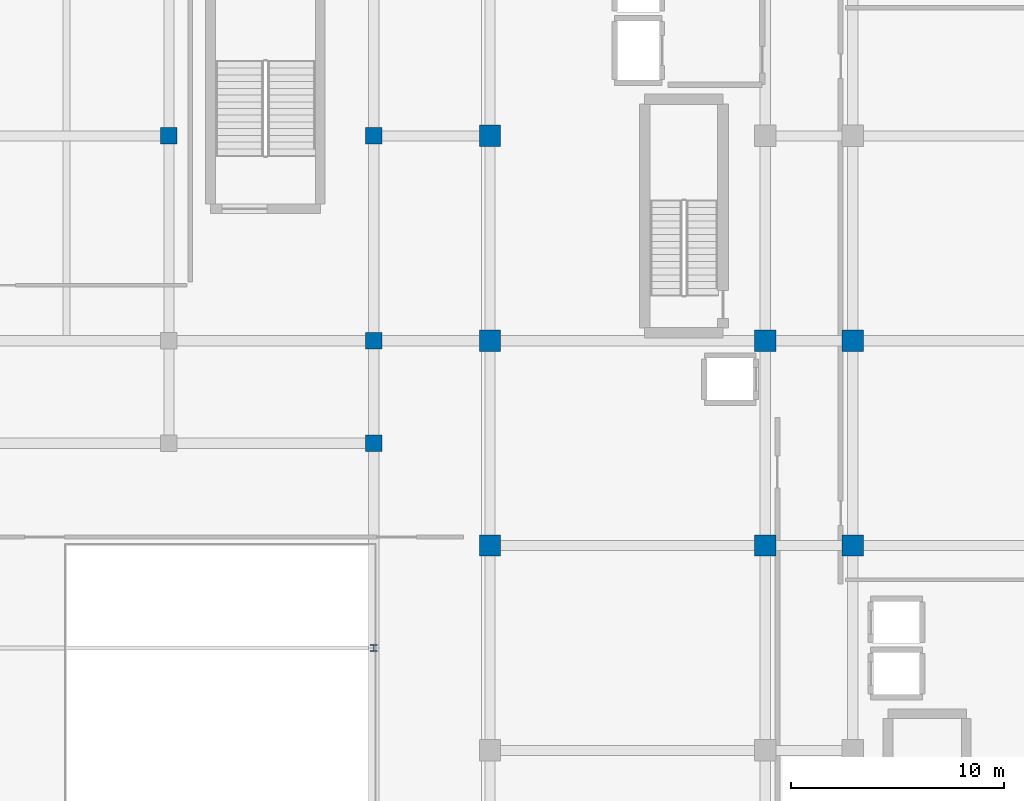
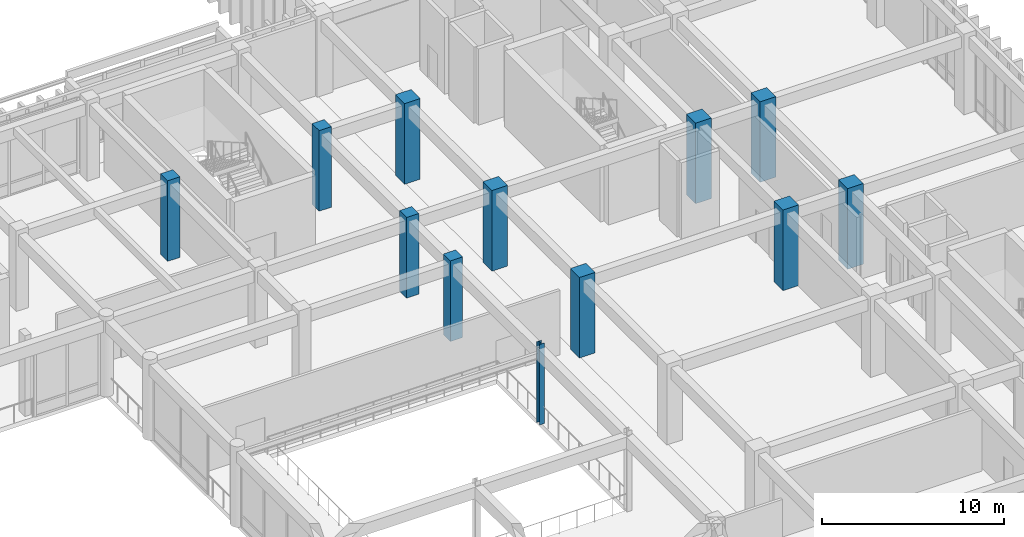
# One storey, part 10 of 134: 12 columns.
"""IFC4 building model written with IfcOpenShell, lengths in metres."""

import ifcopenshell
import ifcopenshell.guid

model = None  # the IFC model being written
_history = None  # IfcOwnerHistory: only IFC2X3 demands one
_inside = {}  # id of a spatial element -> (the spatial element, [elements in it])
_under = {}  # id of a project, library or spatial element -> (it, [spatial elements below it])
_declared = {}  # id of a project -> (the project, [libraries it declares])
_typed = {}  # id of a type object -> (the type object, [elements of that type])
_made_of = {}  # id of a material, layer set ... -> (it, [elements and type objects made of it])


def new_model(schema):
    """Start an empty IFC model of exactly this schema.

    Asked for "IFC4X3", IfcOpenShell would pick the latest addendum, in which some entities
    have other attributes; the version numbers below select the first issue.
    IFC2X3 requires an IfcOwnerHistory on every rooted entity: one is made here for all.
    """
    global model, _history
    if schema == "IFC4X3":
        model = ifcopenshell.file(schema_version=(4, 3, 0, 0))
    else:
        model = ifcopenshell.file(schema=schema)
    _inside.clear()
    _under.clear()
    _declared.clear()
    _typed.clear()
    _made_of.clear()
    _history = None
    if model.schema == "IFC2X3":
        org = make("IfcOrganization", Name="unknown")
        user = make(
            "IfcPersonAndOrganization",
            ThePerson=make("IfcPerson", FamilyName="unknown"),
            TheOrganization=org,
        )
        app = make(
            "IfcApplication",
            ApplicationDeveloper=org,
            Version="unknown",
            ApplicationFullName="unknown",
            ApplicationIdentifier="unknown",
        )
        _history = make(
            "IfcOwnerHistory",
            OwningUser=user,
            OwningApplication=app,
            ChangeAction="ADDED",
            CreationDate=0,
        )
    return model


def make(cls, **values):
    """One entity of the class cls with the attributes given. An attribute that is None is left unset."""
    return model.create_entity(
        cls, **{name: value for name, value in values.items() if value is not None}
    )


def rooted(cls, **values):
    """An entity with a GlobalId (a new one), such as an element, a storey or a relation."""
    return make(cls, GlobalId=ifcopenshell.guid.new(), OwnerHistory=_history, **values)


def si_unit(unit_type, name, prefix=None):
    """IfcSIUnit, for example si_unit("LENGTHUNIT", "METRE", prefix="MILLI")."""
    return make("IfcSIUnit", UnitType=unit_type, Prefix=prefix, Name=name)


def assignment(units):
    """IfcUnitAssignment: the units of a project."""
    return None if units is None else make("IfcUnitAssignment", Units=units)


def point(xyz):
    """IfcCartesianPoint."""
    return None if xyz is None else make("IfcCartesianPoint", Coordinates=xyz)


def direction(xyz):
    """IfcDirection."""
    return None if xyz is None else make("IfcDirection", DirectionRatios=xyz)


def frame(location, z_axis=None, x_axis=None):
    """IfcAxis2Placement3D, a coordinate frame: its origin and axes. An axis left out is left unset."""
    return make(
        "IfcAxis2Placement3D",
        Location=point(location),
        Axis=direction(z_axis),
        RefDirection=direction(x_axis),
    )


def frame_2d(location, x_axis=None):
    """IfcAxis2Placement2D, a coordinate frame in the plane: its origin and x axis."""
    return make(
        "IfcAxis2Placement2D", Location=point(location), RefDirection=direction(x_axis)
    )


def origin():
    """The frame at (0, 0, 0) with its axes left unset."""
    return frame((0.0, 0.0, 0.0))


def origin_2d():
    """The frame at (0, 0) in the plane with its x axis left unset."""
    return frame_2d((0.0, 0.0))


def place(relative_to, where):
    """IfcLocalPlacement: puts the frame where relative to a parent placement (None: the world)."""
    return make(
        "IfcLocalPlacement", PlacementRelTo=relative_to, RelativePlacement=where
    )


def context(
    kind, dimensions, precision=None, world=None, true_north=None, identifier=None
):
    """IfcGeometricRepresentationContext, for example the 3D "Model" context."""
    return make(
        "IfcGeometricRepresentationContext",
        ContextIdentifier=identifier,
        ContextType=kind,
        CoordinateSpaceDimension=dimensions,
        Precision=precision,
        WorldCoordinateSystem=world,
        TrueNorth=true_north,
    )


def subcontext(parent, identifier, kind, view, scale=None):
    """IfcGeometricRepresentationSubContext, for example "Body" below "Model"."""
    return make(
        "IfcGeometricRepresentationSubContext",
        ContextIdentifier=identifier,
        ContextType=kind,
        ParentContext=parent,
        TargetScale=scale,
        TargetView=view,
    )


def project(units=None, contexts=None):
    """IfcProject with its units and contexts."""
    return rooted(
        "IfcProject",
        Name="project",
        RepresentationContexts=contexts,
        UnitsInContext=assignment(units),
    )


def spatial(cls, under=None, at=None, **own):
    """A site, building, storey or space (cls), placed at a placement, below another one or the project."""
    s = rooted(cls, ObjectPlacement=at, **own)
    if under is not None:
        _under.setdefault(under.id(), (under, []))[1].append(s)
    return s


def profile(cls, at=None, kind="AREA", **sizes):
    """A parametric profile (cls). Its sizes go by their IFC names, for example OverallWidth=200.0."""
    return make(cls, ProfileType=kind, Position=at, **sizes)


def rectangle(**sizes):
    """IfcRectangleProfileDef."""
    return profile("IfcRectangleProfileDef", **sizes)


def i_section(**sizes):
    """IfcIShapeProfileDef."""
    return profile("IfcIShapeProfileDef", **sizes)


def extrude(swept, where, along, depth):
    """IfcExtrudedAreaSolid: the profile swept, set in the frame where, extruded along a direction by depth."""
    return make(
        "IfcExtrudedAreaSolid",
        SweptArea=swept,
        Position=where,
        ExtrudedDirection=direction(along),
        Depth=depth,
    )


def shape(context_of_items, identifier, shape_type, items):
    """IfcShapeRepresentation: the items that make up one representation, for example the "Body"."""
    return make(
        "IfcShapeRepresentation",
        ContextOfItems=context_of_items,
        RepresentationIdentifier=identifier,
        RepresentationType=shape_type,
        Items=items,
    )


def material(Name=None, Category=None):
    """IfcMaterial."""
    return make("IfcMaterial", Name=Name, Category=Category)


def material_profile(
    of_material, cross_section, Name=None, Category=None, Priority=None
):
    """IfcMaterialProfile: a cross section and its material."""
    return make(
        "IfcMaterialProfile",
        Name=Name,
        Material=of_material,
        Profile=cross_section,
        Priority=Priority,
        Category=Category,
    )


def profile_set(profiles, Name=None, composite=None):
    """IfcMaterialProfileSet."""
    return make(
        "IfcMaterialProfileSet",
        Name=Name,
        MaterialProfiles=profiles,
        CompositeProfile=composite,
    )


def made_of(thing, what):
    """Note that an element or type object is made of a material, layer set ...; save() writes the relation."""
    if what is not None:
        _made_of.setdefault(what.id(), (what, []))[1].append(thing)
    return thing


def type_object(cls, material=None, **own):
    """A type object (cls), such as IfcWallType, which elements share."""
    return made_of(rooted(cls, **own), material)


def element(
    cls,
    number,
    at=None,
    inside=None,
    cuts=None,
    type_object=None,
    material=None,
    context=None,
    identifier="Body",
    shape_type=None,
    held_by="IfcProductDefinitionShape",
    body=None,
    shapes=None,
    **own,
):
    """One element of the class cls, such as IfcWall. Its Tag is "e" and its number.

    at: its placement. inside: the storey or other place that contains it. cuts: it is an
    opening in that element (IfcRelVoidsElement). A single representation is given by context,
    identifier, shape_type and body (its items); several are given by shapes. held_by: the class
    of the entity that holds the representations. save() writes the other relations.
    """
    e = rooted(cls, Tag="e%d" % number, ObjectPlacement=at, **own)
    if body is not None:
        shapes = [shape(context, identifier, shape_type, body)]
    if shapes is not None:
        e.Representation = make(held_by, Representations=shapes)
    if inside is not None:
        _inside.setdefault(inside.id(), (inside, []))[1].append(e)
    if cuts is not None:
        rooted(
            "IfcRelVoidsElement", RelatingBuildingElement=cuts, RelatedOpeningElement=e
        )
    if type_object is not None:
        _typed.setdefault(type_object.id(), (type_object, []))[1].append(e)
    return made_of(e, material)


def aggregate(whole, parts):
    """IfcRelAggregates: a whole, such as a stair, and the parts it consists of."""
    return rooted("IfcRelAggregates", RelatingObject=whole, RelatedObjects=parts)


def save(model, path):
    """Write the relations noted so far, then the file.

    IfcRelAggregates (storeys below a building ...), IfcRelContainedInSpatialStructure (elements
    in a storey), IfcRelDefinesByType, IfcRelAssociatesMaterial and IfcRelDeclares: one each for
    every whole, place, type object, material and project.
    """
    for whole, parts in _under.values():
        aggregate(whole, parts)
    for where, things in _inside.values():
        rooted(
            "IfcRelContainedInSpatialStructure",
            RelatedElements=things,
            RelatingStructure=where,
        )
    for kind, things in _typed.values():
        rooted("IfcRelDefinesByType", RelatedObjects=things, RelatingType=kind)
    for what, things in _made_of.values():
        rooted("IfcRelAssociatesMaterial", RelatedObjects=things, RelatingMaterial=what)
    for by, libraries in _declared.values():
        rooted("IfcRelDeclares", RelatingContext=by, RelatedDefinitions=libraries)
    model.write(path)


model = new_model("IFC4")

# Units and contexts
model_context = context("Model", 3, precision=1e-05, world=origin(), true_north=direction((0.0, 1.0)))
body_context = subcontext(model_context, "Body", "Model", "MODEL_VIEW")
ifc_project = project(units=[si_unit("LENGTHUNIT", "METRE"), si_unit("AREAUNIT", "SQUARE_METRE"), si_unit("VOLUMEUNIT", "CUBIC_METRE"), si_unit("PLANEANGLEUNIT", "RADIAN"), si_unit("MASSUNIT", "GRAM", prefix="KILO")], contexts=[model_context])

# Site, building, storey
site_placement = place(None, origin())
site = spatial("IfcSite", under=ifc_project, at=site_placement, CompositionType="ELEMENT")
building_placement = place(site_placement, origin())
building = spatial("IfcBuilding", under=site, at=building_placement, Name="Nakhvara Creek Congress Hotel", CompositionType="ELEMENT")
storey_placement = place(building_placement, frame((0.0, 0.0, 6.0)))
storey = spatial("IfcBuildingStorey", under=building, at=storey_placement, Name="L01", CompositionType="ELEMENT", Elevation=6.0)

# Columns
ifc_material_1 = material(Name="Concrete C50/60", Category="concrete")
ifc_material_profile_1 = material_profile(ifc_material_1, rectangle(XDim=1.0, YDim=1.0, at=origin_2d()), Name="RC-COL 1000x1000", Category="LoadBearing")
ifc_profile_set_1 = profile_set([ifc_material_profile_1], Name="Concrete C50/60")
column_type_1 = type_object("IfcColumnType", Name="COL-RC-1000", PredefinedType="COLUMN", material=ifc_profile_set_1)
for number, where, z_axis, x_axis, name in (
    (1, (149.449951171875, 67.199951171875, 0.0), (0.0, 0.0, 1.0), (1.0, 0.0, 0.0), "Column C02-L01-0987"),
    (2, (149.449951171875, 76.800048828125, 0.0), (0.0, 0.0, 1.0), (1.0, 0.0, 0.0), "Column C02-L01-0988"),
    (3, (149.449951171875, 86.39990234375, 0.0), (0.0, 0.0, 1.0), (1.0, 0.0, 0.0), "Column C02-L01-0989"),
    (4, (162.35009765625, 67.199951171875, 0.0), (0.0, 0.0, 1.0), (1.0, 0.0, 0.0), "Column C02-L01-1001"),
    (5, (162.35009765625, 76.800048828125, 0.0), (0.0, 0.0, 1.0), (1.0, 0.0, 0.0), "Column C02-L01-1002"),
    (6, (166.449951171875, 67.199951171875, 0.0), (0.0, 0.0, 1.0), (1.0, 0.0, 0.0), "Column C02-L01-1015"),
    (7, (166.449951171875, 76.800048828125, 0.0), (0.0, 0.0, 1.0), (1.0, 0.0, 0.0), "Column C02-L01-1016"),
):
    element("IfcColumn", number, at=place(storey_placement, frame(where, z_axis=z_axis, x_axis=x_axis)), inside=storey, type_object=column_type_1, Name=name, PredefinedType="COLUMN", context=body_context, shape_type="SweptSolid", body=[
        extrude(rectangle(XDim=1.0, YDim=1.0, at=origin_2d()), origin(), (0.0, 0.0, 1.0), 5.39990234375),
    ])
ifc_material_profile_2 = material_profile(ifc_material_1, rectangle(XDim=0.780029296875, YDim=0.780029296875, at=origin_2d()), Name="RC-COL 780x780", Category="LoadBearing")
ifc_profile_set_2 = profile_set([ifc_material_profile_2], Name="Concrete C50/60")
column_type_2 = type_object("IfcColumnType", Name="COL-RC-780", PredefinedType="COLUMN", material=ifc_profile_set_2)
for number, where, z_axis, x_axis, name in (
    (8, (134.39990234375, 86.39990234375, 0.0), (0.0, 0.0, 1.0), (1.0, 0.0, 0.0), "Column C19-L01-0962"),
    (9, (144.0, 72.0, 0.0), (0.0, 0.0, 1.0), (1.0, 0.0, 0.0), "Column C19-L01-0972"),
    (10, (144.0, 76.800048828125, 0.0), (0.0, 0.0, 1.0), (1.0, 0.0, 0.0), "Column C19-L01-0973"),
    (11, (144.0, 86.39990234375, 0.0), (0.0, 0.0, 1.0), (1.0, 0.0, 0.0), "Column C19-L01-0974"),
):
    element("IfcColumn", number, at=place(storey_placement, frame(where, z_axis=z_axis, x_axis=x_axis)), inside=storey, type_object=column_type_2, Name=name, PredefinedType="COLUMN", context=body_context, shape_type="SweptSolid", body=[
        extrude(rectangle(XDim=0.780029296875, YDim=0.780029296875, at=origin_2d()), origin(), (0.0, 0.0, 1.0), 5.39990234375),
    ])
ifc_material_2 = material(Name="Steel S355J2", Category="steel")
ifc_material_profile_3 = material_profile(ifc_material_2, i_section(OverallWidth=0.307373046875, OverallDepth=0.314453125, WebThickness=0.011962890625, FlangeThickness=0.018798828125, FilletRadius=0.01513671875, at=origin_2d()), Name="UC 305x305x118", Category="LoadBearing")
ifc_profile_set_3 = profile_set([ifc_material_profile_3], Name="Steel S355J2")
column_type_3 = type_object("IfcColumnType", Name="COL-ST-UC305", PredefinedType="COLUMN", material=ifc_profile_set_3)
column_placement = place(storey_placement, frame((144.0, 62.39990234375, 0.0), z_axis=(0.0, 0.0, 1.0), x_axis=(1.0, 0.0, 0.0)))
element("IfcColumn", 12, at=column_placement, inside=storey, type_object=column_type_3, Name="Column CS2-L01-0971", PredefinedType="COLUMN", context=body_context, shape_type="SweptSolid", body=[
    extrude(i_section(OverallWidth=0.307373046875, OverallDepth=0.314453125, WebThickness=0.011962890625, FlangeThickness=0.018798828125, FilletRadius=0.01513671875, at=origin_2d()), origin(), (0.0, 0.0, 1.0), 5.39990234375),
])

save(model, "model.ifc")
